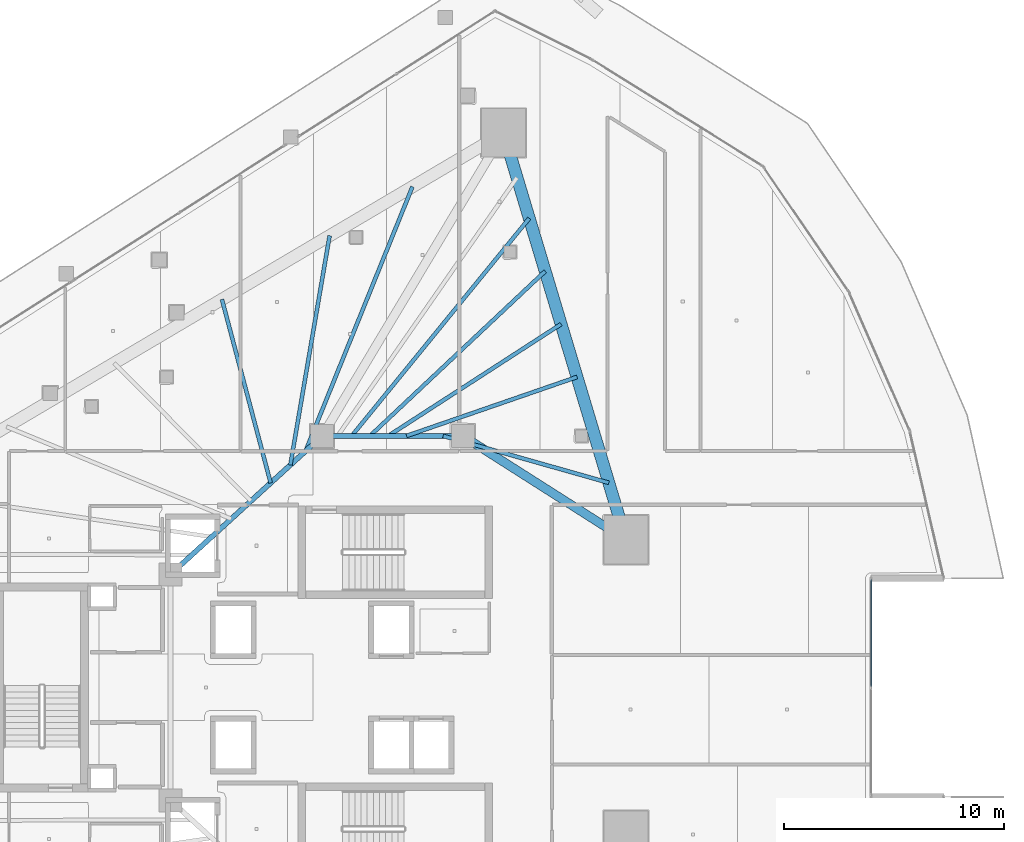
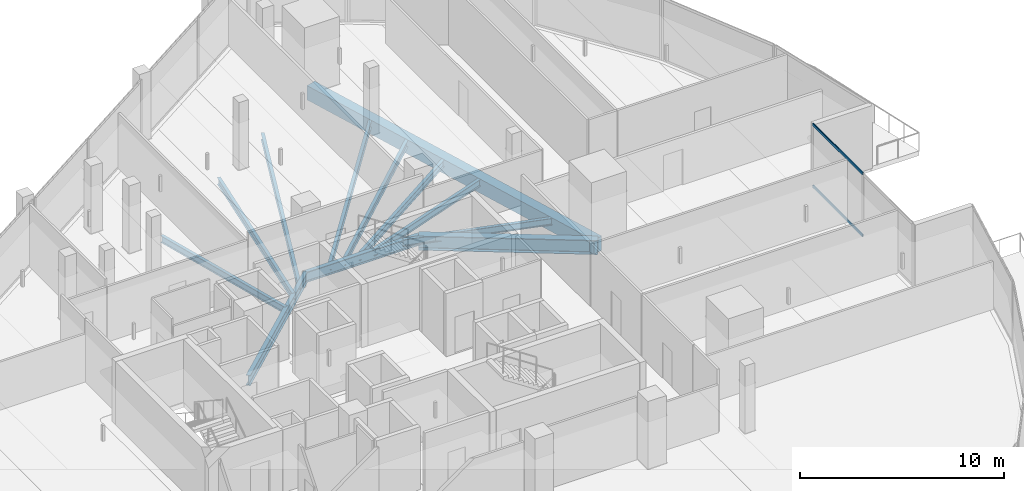
# One storey, part 18 of 42: 12 beams, 2 members, 1 element without a shape of its own.
"""IFC4 building model written with IfcOpenShell, lengths in metres."""

from ifc_helpers import new_model, si_unit, direction, frame, origin, origin_2d, place, context, subcontext, project, spatial, rectangle, hollow_rectangle, i_section, extrude, material, layer, layer_set, material_profile, profile_set, type_object, element, aggregate, save


model = new_model("IFC4")

# Units and contexts
model_context = context("Model", 3, precision=1e-05, world=origin(), true_north=direction((0.0, 1.0)))
body_context = subcontext(model_context, "Body", "Model", "MODEL_VIEW")
ifc_project = project(units=[si_unit("LENGTHUNIT", "METRE"), si_unit("AREAUNIT", "SQUARE_METRE"), si_unit("VOLUMEUNIT", "CUBIC_METRE"), si_unit("PLANEANGLEUNIT", "RADIAN"), si_unit("MASSUNIT", "GRAM", prefix="KILO")], contexts=[model_context])

# Site, building, storey
site_placement = place(None, origin())
site = spatial("IfcSite", under=ifc_project, at=site_placement, CompositionType="ELEMENT")
building_placement = place(site_placement, origin())
building = spatial("IfcBuilding", under=site, at=building_placement, Name="Qorvath Tower", CompositionType="ELEMENT")
storey_placement = place(building_placement, frame((0.0, 0.0, 121.949951171875)))
storey = spatial("IfcBuildingStorey", under=building, at=storey_placement, Name="L27", CompositionType="ELEMENT", Elevation=121.949951171875)

# Beams
ifc_material_1 = material(Name="Steel ASTM A992 Grade 50", Category="steel")
ifc_material_profile_1 = material_profile(ifc_material_1, i_section(OverallWidth=0.39892578125, OverallDepth=0.85498046875, WebThickness=0.018310546875, FlangeThickness=0.029296875, FilletRadius=0.02001953125, at=origin_2d()), Name="W33x201")
ifc_profile_set_1 = profile_set([ifc_material_profile_1], Name="Steel ASTM A992 Grade 50")
beam_type_1 = type_object("IfcBeamType", Name="BM-FG2", PredefinedType="BEAM", material=ifc_profile_set_1)
beam_1_placement = place(storey_placement, frame((-17.199951171875, 11.449951171875, -0.70751953125), z_axis=(0.843634090834, -0.536918542037, 0.0), x_axis=(0.536918542037, 0.843634090834, 0.0)))
element("IfcBeam", 1, at=beam_1_placement, inside=storey, type_object=beam_type_1, Name="Radial Floor Girder CC2-MC5 L27", PredefinedType="BEAM", context=body_context, shape_type="SweptSolid", body=[
    extrude(i_section(OverallWidth=0.39892578125, OverallDepth=0.85498046875, WebThickness=0.018310546875, FlangeThickness=0.029296875, FilletRadius=0.02001953125, at=origin_2d()), origin(), (0.0, 0.0, 1.0), 8.806884765625),
])
ifc_material_2 = material(Name="Steel ASTM A992 Grade 50", Category="steel")
ifc_material_profile_2 = material_profile(ifc_material_2, i_section(OverallWidth=0.22998046875, OverallDepth=0.616943359375, WebThickness=0.01318359375, FlangeThickness=0.022216796875, FilletRadius=0.014892578125, at=origin_2d()), Name="W24x94")
ifc_profile_set_2 = profile_set([ifc_material_profile_2], Name="Steel ASTM A992 Grade 50")
beam_type_2 = type_object("IfcBeamType", Name="BM-FG6", PredefinedType="BEAM", material=ifc_profile_set_2)
beam_2_placement = place(storey_placement, frame((-23.60009765625, 11.449951171875, -0.588623046875), z_axis=(1.0, 0.0, 0.0), x_axis=(0.0, 1.0, 0.0)))
element("IfcBeam", 2, at=beam_2_placement, inside=storey, type_object=beam_type_2, Name="Core Ring Girder CC1-CC2 L27", PredefinedType="BEAM", context=body_context, shape_type="SweptSolid", body=[
    extrude(i_section(OverallWidth=0.22998046875, OverallDepth=0.616943359375, WebThickness=0.01318359375, FlangeThickness=0.022216796875, FilletRadius=0.014892578125, at=origin_2d()), origin(), (0.0, 0.0, 1.0), 6.400146484375),
])
beam_3_placement = place(storey_placement, frame((-30.5, 5.14990234375, -0.588623046875), z_axis=(0.73847813985, 0.6742774184, 0.0), x_axis=(-0.6742774184, 0.73847813985, 0.0)))
element("IfcBeam", 3, at=beam_3_placement, inside=storey, type_object=beam_type_2, Name="Core Ring Girder CC5-CC1 L27", PredefinedType="BEAM", context=body_context, shape_type="SweptSolid", body=[
    extrude(i_section(OverallWidth=0.22998046875, OverallDepth=0.616943359375, WebThickness=0.01318359375, FlangeThickness=0.022216796875, FilletRadius=0.014892578125, at=origin_2d()), origin(), (0.0, 0.0, 1.0), 9.343505859375),
])
ifc_material_3 = material(Name="Steel ASTM A992 Grade 50", Category="steel")
ifc_material_profile_3 = material_profile(ifc_material_3, i_section(OverallWidth=0.177978515625, OverallDepth=0.406005859375, WebThickness=0.0078125, FlangeThickness=0.0126953125, FilletRadius=0.010986328125, at=origin_2d()), Name="W16x40")
ifc_profile_set_3 = profile_set([ifc_material_profile_3], Name="Steel ASTM A992 Grade 50")
beam_type_3 = type_object("IfcBeamType", Name="BM-FJ3", PredefinedType="JOIST", material=ifc_profile_set_3)
beam_4_placement = place(storey_placement, frame((-18.095947265625, 11.449951171875, -0.483154296875), z_axis=(0.962222206221, -0.272265359264, 0.0), x_axis=(0.272265359264, 0.962222206221, 0.0)))
element("IfcBeam", 4, at=beam_4_placement, inside=storey, type_object=beam_type_3, Name="Composite Floor Joist NE1 L27", PredefinedType="JOIST", context=body_context, shape_type="SweptSolid", body=[
    extrude(i_section(OverallWidth=0.177978515625, OverallDepth=0.406005859375, WebThickness=0.0078125, FlangeThickness=0.0126953125, FilletRadius=0.010986328125, at=origin_2d()), origin(), (0.0, 0.0, 1.0), 7.841552734375),
])
beam_5_placement = place(storey_placement, frame((-19.760009765625, 11.449951171875, -0.483154296875), z_axis=(0.945168345309, 0.326583525342, 0.0), x_axis=(-0.326583525342, 0.945168345309, 0.0)))
element("IfcBeam", 5, at=beam_5_placement, inside=storey, type_object=beam_type_3, Name="Composite Floor Joist NE3 L27", PredefinedType="JOIST", context=body_context, shape_type="SweptSolid", body=[
    extrude(i_section(OverallWidth=0.177978515625, OverallDepth=0.406005859375, WebThickness=0.0078125, FlangeThickness=0.0126953125, FilletRadius=0.010986328125, at=origin_2d()), origin(), (0.0, 0.0, 1.0), 8.21044921875),
])
beam_6_placement = place(storey_placement, frame((-20.592041015625, 11.449951171875, -0.483154296875), z_axis=(0.839630966809, 0.543157288062, 0.0), x_axis=(-0.543157288062, 0.839630966809, 0.0)))
element("IfcBeam", 6, at=beam_6_placement, inside=storey, type_object=beam_type_3, Name="Composite Floor Joist NE4 L27", PredefinedType="JOIST", context=body_context, shape_type="SweptSolid", body=[
    extrude(i_section(OverallWidth=0.177978515625, OverallDepth=0.406005859375, WebThickness=0.0078125, FlangeThickness=0.0126953125, FilletRadius=0.010986328125, at=origin_2d()), origin(), (0.0, 0.0, 1.0), 9.370361328125),
])
beam_7_placement = place(storey_placement, frame((-21.424072265625, 11.449951171875, -0.483154296875), z_axis=(0.728572459091, 0.684968737866, 0.0), x_axis=(-0.684968737866, 0.728572459091, 0.0)))
element("IfcBeam", 7, at=beam_7_placement, inside=storey, type_object=beam_type_3, Name="Composite Floor Joist NE5 L27", PredefinedType="JOIST", context=body_context, shape_type="SweptSolid", body=[
    extrude(i_section(OverallWidth=0.177978515625, OverallDepth=0.406005859375, WebThickness=0.0078125, FlangeThickness=0.0126953125, FilletRadius=0.010986328125, at=origin_2d()), origin(), (0.0, 0.0, 1.0), 10.9462890625),
])
beam_8_placement = place(storey_placement, frame((-22.256103515625, 11.449951171875, -0.483154296875), z_axis=(0.632187975212, 0.774815051478, 0.0), x_axis=(-0.774815051478, 0.632187975212, 0.0)))
element("IfcBeam", 8, at=beam_8_placement, inside=storey, type_object=beam_type_3, Name="Composite Floor Joist NE6 L27", PredefinedType="JOIST", context=body_context, shape_type="SweptSolid", body=[
    extrude(i_section(OverallWidth=0.177978515625, OverallDepth=0.406005859375, WebThickness=0.0078125, FlangeThickness=0.0126953125, FilletRadius=0.010986328125, at=origin_2d()), origin(), (0.0, 0.0, 1.0), 12.784912109375),
])
beam_9_placement = place(storey_placement, frame((-25.946044921875, 9.30810546875, -0.483154296875), z_axis=(-0.256507909517, 0.966542131702, 0.0), x_axis=(-0.966542131702, -0.256507909517, 0.0)))
element("IfcBeam", 9, at=beam_9_placement, inside=storey, type_object=beam_type_3, Name="Composite Floor Joist NW5 L27", PredefinedType="JOIST", context=body_context, shape_type="SweptSolid", body=[
    extrude(i_section(OverallWidth=0.177978515625, OverallDepth=0.406005859375, WebThickness=0.0078125, FlangeThickness=0.0126953125, FilletRadius=0.010986328125, at=origin_2d()), origin(), (0.0, 0.0, 1.0), 8.64697265625),
])
beam_10_placement = place(storey_placement, frame((-25.049072265625, 10.126953125, -0.483154296875), z_axis=(0.168745594245, 0.985659639238, 0.0), x_axis=(-0.985659639238, 0.168745594245, 0.0)))
element("IfcBeam", 10, at=beam_10_placement, inside=storey, type_object=beam_type_3, Name="Composite Floor Joist NW6 L27", PredefinedType="JOIST", context=body_context, shape_type="SweptSolid", body=[
    extrude(i_section(OverallWidth=0.177978515625, OverallDepth=0.406005859375, WebThickness=0.0078125, FlangeThickness=0.0126953125, FilletRadius=0.010986328125, at=origin_2d()), origin(), (0.0, 0.0, 1.0), 10.589111328125),
])
beam_11_placement = place(storey_placement, frame((-24.35888671875, 10.757080078125, -0.483154296875), z_axis=(0.37487652097, 0.927074751045, 0.0), x_axis=(-0.927074751045, 0.37487652097, 0.0)))
element("IfcBeam", 11, at=beam_11_placement, inside=storey, type_object=beam_type_3, Name="Composite Floor Joist NW7 L27", PredefinedType="JOIST", context=body_context, shape_type="SweptSolid", body=[
    extrude(i_section(OverallWidth=0.177978515625, OverallDepth=0.406005859375, WebThickness=0.0078125, FlangeThickness=0.0126953125, FilletRadius=0.010986328125, at=origin_2d()), origin(), (0.0, 0.0, 1.0), 12.9833984375),
])
ifc_material_4 = material(Name="Concrete C50/60", Category="concrete")
ifc_material_profile_4 = material_profile(ifc_material_4, rectangle(XDim=0.550048828125, YDim=0.85009765625, at=origin_2d()), Name="RCB 850x550")
ifc_profile_set_4 = profile_set([ifc_material_profile_4], Name="Concrete C50/60")
beam_type_4 = type_object("IfcBeamType", Name="BM-RCB2", PredefinedType="SPANDREL", material=ifc_profile_set_4)
beam_12_placement = place(storey_placement, frame((-9.770263671875, 6.721435546875, -0.705078125), z_axis=(-0.288133952099, 0.957590113591, 0.0), x_axis=(-0.957590113591, -0.288133952099, 0.0)))
element("IfcBeam", 12, at=beam_12_placement, inside=storey, type_object=beam_type_4, Name="Perimeter Loggia Frame Beam MC5-MC6 L27", PredefinedType="SPANDREL", context=body_context, shape_type="SweptSolid", body=[
    extrude(rectangle(XDim=0.550048828125, YDim=0.85009765625, at=origin_2d()), origin(), (0.0, 0.0, 1.0), 19.344970703125),
])

# Curtain wall, members
ifc_material_5 = material(Name="Anodised aluminium and triple low-E glass", Category="aluminium")
ifc_layer = layer(ifc_material_5, 0.179931640625)
ifc_layer_set = layer_set([ifc_layer], Name="CW-SYS-2")
curtain_wall_type = type_object("IfcCurtainWallType", Name="CW-SYS-2", PredefinedType="NOTDEFINED", material=ifc_layer_set)
curtain_wall_placement = place(storey_placement, origin())
curtain_wall = element("IfcCurtainWall", 13, at=curtain_wall_placement, inside=storey, type_object=curtain_wall_type, Name="Curtain Wall CW-2 CW-T-L27-9.1", PredefinedType="NOTDEFINED")
ifc_material_6 = material(Name="Anodised aluminium 6063-T6", Category="aluminium")
ifc_material_profile_5 = material_profile(ifc_material_6, hollow_rectangle(XDim=0.06494140625, YDim=0.159912109375, WallThickness=0.00341796875, InnerFilletRadius=0.00341796875, OuterFilletRadius=0.007080078125, at=origin_2d()), Name="CWT 160x65")
ifc_profile_set_5 = profile_set([ifc_material_profile_5], Name="Anodised aluminium 6063-T6")
member_type = type_object("IfcMemberType", Name="CWT-160", PredefinedType="USERDEFINED", material=ifc_profile_set_5)
member_1_placement = place(storey_placement, frame((1.386962890625, 0.032470703125, 0.032470703125), z_axis=(0.0, 1.0, 0.0), x_axis=(-1.0, 0.0, 0.0)))
member_1 = element("IfcMember", 14, at=member_1_placement, type_object=member_type, Name="CW-2 transom 2.1", ObjectType="TRANSOM", PredefinedType="USERDEFINED", context=body_context, shape_type="SweptSolid", body=[
    extrude(hollow_rectangle(XDim=0.06494140625, YDim=0.159912109375, WallThickness=0.00341796875, InnerFilletRadius=0.00341796875, OuterFilletRadius=0.007080078125, at=origin_2d()), origin(), (0.0, 0.0, 1.0), 4.87060546875),
])
member_2_placement = place(storey_placement, frame((1.386962890625, 0.032470703125, 3.737548828125), z_axis=(0.0, 1.0, 0.0), x_axis=(-1.0, 0.0, 0.0)))
member_2 = element("IfcMember", 15, at=member_2_placement, type_object=member_type, Name="CW-2 transom 2.2", ObjectType="TRANSOM", PredefinedType="USERDEFINED", context=body_context, shape_type="SweptSolid", body=[
    extrude(hollow_rectangle(XDim=0.06494140625, YDim=0.159912109375, WallThickness=0.00341796875, InnerFilletRadius=0.00341796875, OuterFilletRadius=0.007080078125, at=origin_2d()), origin(), (0.0, 0.0, 1.0), 4.87060546875),
])
aggregate(curtain_wall, [member_1, member_2])

save(model, "model.ifc")
